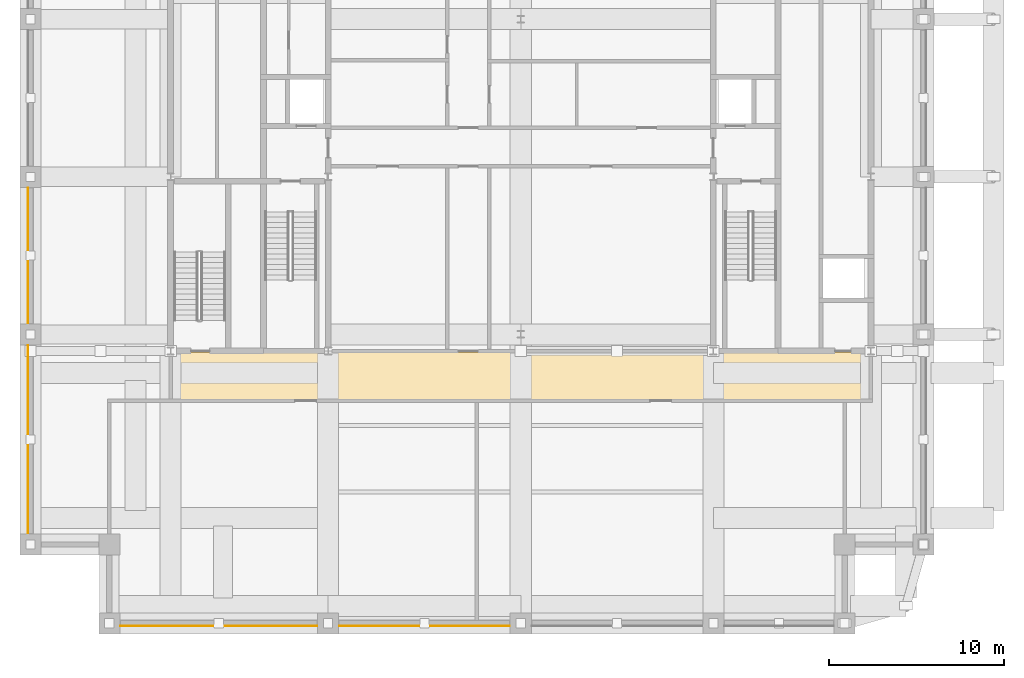
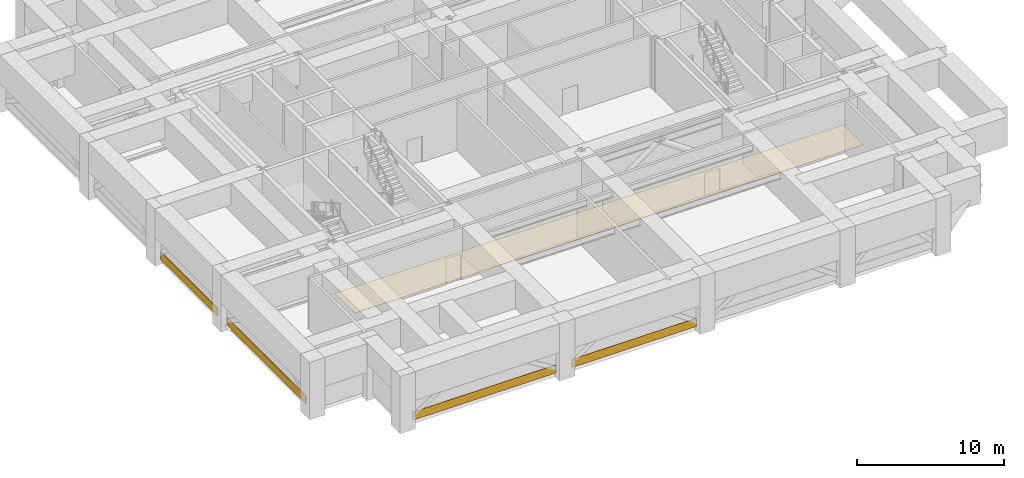
# One storey, part 7 of 10: 5 coverings.
"""IFC4 building model written with IfcOpenShell, lengths in metres."""

import ifcopenshell
import ifcopenshell.guid

model = None  # the IFC model being written
_history = None  # IfcOwnerHistory: only IFC2X3 demands one
_inside = {}  # id of a spatial element -> (the spatial element, [elements in it])
_under = {}  # id of a project, library or spatial element -> (it, [spatial elements below it])
_declared = {}  # id of a project -> (the project, [libraries it declares])
_typed = {}  # id of a type object -> (the type object, [elements of that type])
_made_of = {}  # id of a material, layer set ... -> (it, [elements and type objects made of it])


def new_model(schema):
    """Start an empty IFC model of exactly this schema.

    Asked for "IFC4X3", IfcOpenShell would pick the latest addendum, in which some entities
    have other attributes; the version numbers below select the first issue.
    IFC2X3 requires an IfcOwnerHistory on every rooted entity: one is made here for all.
    """
    global model, _history
    if schema == "IFC4X3":
        model = ifcopenshell.file(schema_version=(4, 3, 0, 0))
    else:
        model = ifcopenshell.file(schema=schema)
    _inside.clear()
    _under.clear()
    _declared.clear()
    _typed.clear()
    _made_of.clear()
    _history = None
    if model.schema == "IFC2X3":
        org = make("IfcOrganization", Name="unknown")
        user = make(
            "IfcPersonAndOrganization",
            ThePerson=make("IfcPerson", FamilyName="unknown"),
            TheOrganization=org,
        )
        app = make(
            "IfcApplication",
            ApplicationDeveloper=org,
            Version="unknown",
            ApplicationFullName="unknown",
            ApplicationIdentifier="unknown",
        )
        _history = make(
            "IfcOwnerHistory",
            OwningUser=user,
            OwningApplication=app,
            ChangeAction="ADDED",
            CreationDate=0,
        )
    return model


def make(cls, **values):
    """One entity of the class cls with the attributes given. An attribute that is None is left unset."""
    return model.create_entity(
        cls, **{name: value for name, value in values.items() if value is not None}
    )


def rooted(cls, **values):
    """An entity with a GlobalId (a new one), such as an element, a storey or a relation."""
    return make(cls, GlobalId=ifcopenshell.guid.new(), OwnerHistory=_history, **values)


def si_unit(unit_type, name, prefix=None):
    """IfcSIUnit, for example si_unit("LENGTHUNIT", "METRE", prefix="MILLI")."""
    return make("IfcSIUnit", UnitType=unit_type, Prefix=prefix, Name=name)


def assignment(units):
    """IfcUnitAssignment: the units of a project."""
    return None if units is None else make("IfcUnitAssignment", Units=units)


def point(xyz):
    """IfcCartesianPoint."""
    return None if xyz is None else make("IfcCartesianPoint", Coordinates=xyz)


def direction(xyz):
    """IfcDirection."""
    return None if xyz is None else make("IfcDirection", DirectionRatios=xyz)


def frame(location, z_axis=None, x_axis=None):
    """IfcAxis2Placement3D, a coordinate frame: its origin and axes. An axis left out is left unset."""
    return make(
        "IfcAxis2Placement3D",
        Location=point(location),
        Axis=direction(z_axis),
        RefDirection=direction(x_axis),
    )


def frame_2d(location, x_axis=None):
    """IfcAxis2Placement2D, a coordinate frame in the plane: its origin and x axis."""
    return make(
        "IfcAxis2Placement2D", Location=point(location), RefDirection=direction(x_axis)
    )


def origin():
    """The frame at (0, 0, 0) with its axes left unset."""
    return frame((0.0, 0.0, 0.0))


def place(relative_to, where):
    """IfcLocalPlacement: puts the frame where relative to a parent placement (None: the world)."""
    return make(
        "IfcLocalPlacement", PlacementRelTo=relative_to, RelativePlacement=where
    )


def context(
    kind, dimensions, precision=None, world=None, true_north=None, identifier=None
):
    """IfcGeometricRepresentationContext, for example the 3D "Model" context."""
    return make(
        "IfcGeometricRepresentationContext",
        ContextIdentifier=identifier,
        ContextType=kind,
        CoordinateSpaceDimension=dimensions,
        Precision=precision,
        WorldCoordinateSystem=world,
        TrueNorth=true_north,
    )


def subcontext(parent, identifier, kind, view, scale=None):
    """IfcGeometricRepresentationSubContext, for example "Body" below "Model"."""
    return make(
        "IfcGeometricRepresentationSubContext",
        ContextIdentifier=identifier,
        ContextType=kind,
        ParentContext=parent,
        TargetScale=scale,
        TargetView=view,
    )


def project(units=None, contexts=None):
    """IfcProject with its units and contexts."""
    return rooted(
        "IfcProject",
        Name="project",
        RepresentationContexts=contexts,
        UnitsInContext=assignment(units),
    )


def spatial(cls, under=None, at=None, **own):
    """A site, building, storey or space (cls), placed at a placement, below another one or the project."""
    s = rooted(cls, ObjectPlacement=at, **own)
    if under is not None:
        _under.setdefault(under.id(), (under, []))[1].append(s)
    return s


def polyline(points):
    """IfcPolyline through the points."""
    return make("IfcPolyline", Points=[point(p) for p in points])


def profile(cls, at=None, kind="AREA", **sizes):
    """A parametric profile (cls). Its sizes go by their IFC names, for example OverallWidth=200.0."""
    return make(cls, ProfileType=kind, Position=at, **sizes)


def rectangle(**sizes):
    """IfcRectangleProfileDef."""
    return profile("IfcRectangleProfileDef", **sizes)


def outline(outer, holes=None, kind="AREA"):
    """IfcArbitraryClosedProfileDef: a profile drawn as a closed curve; with holes, ...WithVoids."""
    if holes is None:
        return make("IfcArbitraryClosedProfileDef", ProfileType=kind, OuterCurve=outer)
    return make(
        "IfcArbitraryProfileDefWithVoids",
        ProfileType=kind,
        OuterCurve=outer,
        InnerCurves=holes,
    )


def extrude(swept, where, along, depth):
    """IfcExtrudedAreaSolid: the profile swept, set in the frame where, extruded along a direction by depth."""
    return make(
        "IfcExtrudedAreaSolid",
        SweptArea=swept,
        Position=where,
        ExtrudedDirection=direction(along),
        Depth=depth,
    )


def shape(context_of_items, identifier, shape_type, items):
    """IfcShapeRepresentation: the items that make up one representation, for example the "Body"."""
    return make(
        "IfcShapeRepresentation",
        ContextOfItems=context_of_items,
        RepresentationIdentifier=identifier,
        RepresentationType=shape_type,
        Items=items,
    )


def material(Name=None, Category=None):
    """IfcMaterial."""
    return make("IfcMaterial", Name=Name, Category=Category)


def layer(
    of_material, thickness, ventilated=None, Name=None, Category=None, Priority=None
):
    """IfcMaterialLayer: one layer of a wall or slab, of a material (None: an air gap)."""
    return make(
        "IfcMaterialLayer",
        Material=of_material,
        LayerThickness=thickness,
        IsVentilated=ventilated,
        Name=Name,
        Category=Category,
        Priority=Priority,
    )


def layer_set(layers, Name=None):
    """IfcMaterialLayerSet."""
    return make("IfcMaterialLayerSet", MaterialLayers=layers, LayerSetName=Name)


def made_of(thing, what):
    """Note that an element or type object is made of a material, layer set ...; save() writes the relation."""
    if what is not None:
        _made_of.setdefault(what.id(), (what, []))[1].append(thing)
    return thing


def type_object(cls, material=None, **own):
    """A type object (cls), such as IfcWallType, which elements share."""
    return made_of(rooted(cls, **own), material)


def element(
    cls,
    number,
    at=None,
    inside=None,
    cuts=None,
    type_object=None,
    material=None,
    context=None,
    identifier="Body",
    shape_type=None,
    held_by="IfcProductDefinitionShape",
    body=None,
    shapes=None,
    **own,
):
    """One element of the class cls, such as IfcWall. Its Tag is "e" and its number.

    at: its placement. inside: the storey or other place that contains it. cuts: it is an
    opening in that element (IfcRelVoidsElement). A single representation is given by context,
    identifier, shape_type and body (its items); several are given by shapes. held_by: the class
    of the entity that holds the representations. save() writes the other relations.
    """
    e = rooted(cls, Tag="e%d" % number, ObjectPlacement=at, **own)
    if body is not None:
        shapes = [shape(context, identifier, shape_type, body)]
    if shapes is not None:
        e.Representation = make(held_by, Representations=shapes)
    if inside is not None:
        _inside.setdefault(inside.id(), (inside, []))[1].append(e)
    if cuts is not None:
        rooted(
            "IfcRelVoidsElement", RelatingBuildingElement=cuts, RelatedOpeningElement=e
        )
    if type_object is not None:
        _typed.setdefault(type_object.id(), (type_object, []))[1].append(e)
    return made_of(e, material)


def aggregate(whole, parts):
    """IfcRelAggregates: a whole, such as a stair, and the parts it consists of."""
    return rooted("IfcRelAggregates", RelatingObject=whole, RelatedObjects=parts)


def save(model, path):
    """Write the relations noted so far, then the file.

    IfcRelAggregates (storeys below a building ...), IfcRelContainedInSpatialStructure (elements
    in a storey), IfcRelDefinesByType, IfcRelAssociatesMaterial and IfcRelDeclares: one each for
    every whole, place, type object, material and project.
    """
    for whole, parts in _under.values():
        aggregate(whole, parts)
    for where, things in _inside.values():
        rooted(
            "IfcRelContainedInSpatialStructure",
            RelatedElements=things,
            RelatingStructure=where,
        )
    for kind, things in _typed.values():
        rooted("IfcRelDefinesByType", RelatedObjects=things, RelatingType=kind)
    for what, things in _made_of.values():
        rooted("IfcRelAssociatesMaterial", RelatedObjects=things, RelatingMaterial=what)
    for by, libraries in _declared.values():
        rooted("IfcRelDeclares", RelatingContext=by, RelatedDefinitions=libraries)
    model.write(path)


model = new_model("IFC4")

# Units and contexts
model_context = context("Model", 3, precision=1e-05, world=origin(), true_north=direction((0.0, 1.0)))
body_context = subcontext(model_context, "Body", "Model", "MODEL_VIEW")
ifc_project = project(units=[si_unit("LENGTHUNIT", "METRE"), si_unit("AREAUNIT", "SQUARE_METRE"), si_unit("VOLUMEUNIT", "CUBIC_METRE"), si_unit("PLANEANGLEUNIT", "RADIAN"), si_unit("MASSUNIT", "GRAM", prefix="KILO")], contexts=[model_context])

# Site, building, storey
site_placement = place(None, origin())
site = spatial("IfcSite", under=ifc_project, at=site_placement, CompositionType="ELEMENT")
building_placement = place(site_placement, origin())
building = spatial("IfcBuilding", under=site, at=building_placement, Name="Zulmaris Gate Convention Tower", CompositionType="ELEMENT")
storey_placement = place(building_placement, frame((0.0, 0.0, 153.47998046875)))
storey = spatial("IfcBuildingStorey", under=building, at=storey_placement, Name="L39", CompositionType="ELEMENT", Elevation=153.47998046875)

# Coverings
ifc_material_1 = material(Name="Precast concrete C40/50", Category="concrete")
ifc_layer_1 = layer(ifc_material_1, 0.0400390625, Name="Precast concrete C40/50")
ifc_layer_set_1 = layer_set([ifc_layer_1], Name="Precast concrete C40/50")
covering_type_1 = type_object("IfcCoveringType", Name="CLAD-SPANDREL-PRECAST", PredefinedType="CLADDING", material=ifc_layer_set_1)
covering_1_placement = place(storey_placement, frame((-22.8701171875, -25.64990234375, 0.0), z_axis=(0.0, 0.0, 1.0), x_axis=(1.0, 0.0, 0.0)))
element("IfcCovering", 1, at=covering_1_placement, inside=storey, type_object=covering_type_1, Name="CLD-L39-S-0_0", PredefinedType="CLADDING", context=body_context, shape_type="SweptSolid", body=[
    extrude(rectangle(XDim=11.240234375, YDim=0.0400390625, at=frame_2d((5.6201171875, 0.0))), origin(), (0.0, 0.0, 1.0), 0.679931640625),
])
covering_2_placement = place(storey_placement, frame((-10.3701171875, -25.64990234375, 0.0), z_axis=(0.0, 0.0, 1.0), x_axis=(1.0, 0.0, 0.0)))
element("IfcCovering", 2, at=covering_2_placement, inside=storey, type_object=covering_type_1, Name="CLD-L39-S-1_0", PredefinedType="CLADDING", context=body_context, shape_type="SweptSolid", body=[
    extrude(rectangle(XDim=9.740234375, YDim=0.0400390625, at=frame_2d((4.8701171875, 0.0))), origin(), (0.0, 0.0, 1.0), 0.679931640625),
])
covering_3_placement = place(storey_placement, frame((-28.14990234375, -9.6298828125, 0.0), z_axis=(0.0, 0.0, 1.0), x_axis=(0.0, -1.0, 0.0)))
element("IfcCovering", 3, at=covering_3_placement, inside=storey, type_object=covering_type_1, Name="CLD-L39-W-0_0", PredefinedType="CLADDING", context=body_context, shape_type="SweptSolid", body=[
    extrude(rectangle(XDim=10.740234375, YDim=0.0400390625, at=frame_2d((5.3701171875, 0.0))), origin(), (0.0, 0.0, 1.0), 0.679931640625),
])
covering_4_placement = place(storey_placement, frame((-28.14990234375, -0.6298828125, 0.0), z_axis=(0.0, 0.0, 1.0), x_axis=(0.0, -1.0, 0.0)))
element("IfcCovering", 4, at=covering_4_placement, inside=storey, type_object=covering_type_1, Name="CLD-L39-W-1_0", PredefinedType="CLADDING", context=body_context, shape_type="SweptSolid", body=[
    extrude(rectangle(XDim=7.740234375, YDim=0.0400390625, at=frame_2d((3.8701171875, 0.0))), origin(), (0.0, 0.0, 1.0), 0.679931640625),
])
ifc_material_2 = material(Name="Woven Acoustic Wool Carpet Tile")
ifc_layer_2 = layer(ifc_material_2, 0.02001953125, Name="Woven Acoustic Wool Carpet Tile")
ifc_layer_set_2 = layer_set([ifc_layer_2], Name="Woven Acoustic Wool Carpet Tile")
covering_type_2 = type_object("IfcCoveringType", Name="FLR-CARPET-12", PredefinedType="FLOORING", material=ifc_layer_set_2)
covering_5_placement = place(storey_placement, origin())
element("IfcCovering", 5, at=covering_5_placement, inside=storey, type_object=covering_type_2, Name="FLR-L39-R26", PredefinedType="FLOORING", context=body_context, shape_type="SweptSolid", body=[
    extrude(outline(polyline([(-19.93994140625, -12.739990234375), (19.93994140625, -12.739990234375), (19.93994140625, -10.010009765625), (-19.93994140625, -10.010009765625), (-19.93994140625, -12.739990234375)])), origin(), (0.0, 0.0, 1.0), 0.02001953125),
])

save(model, "model.ifc")
